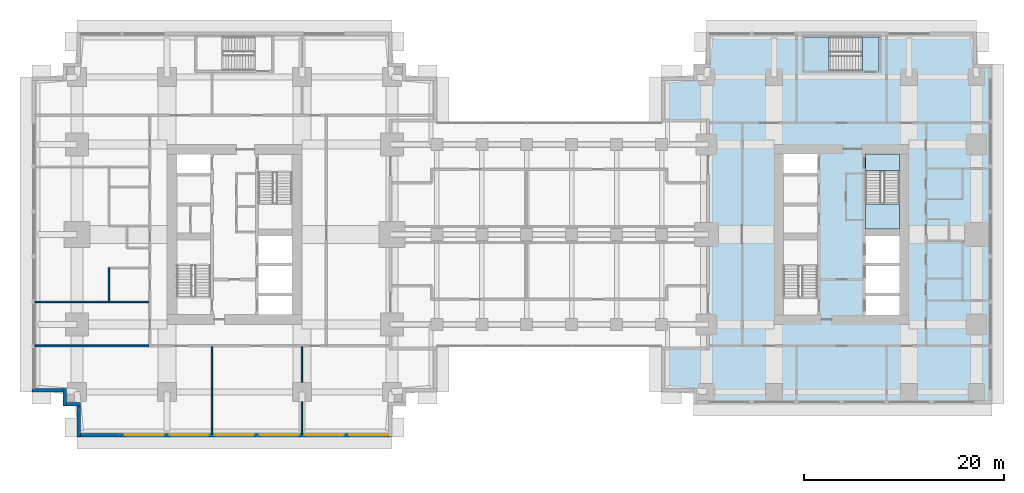
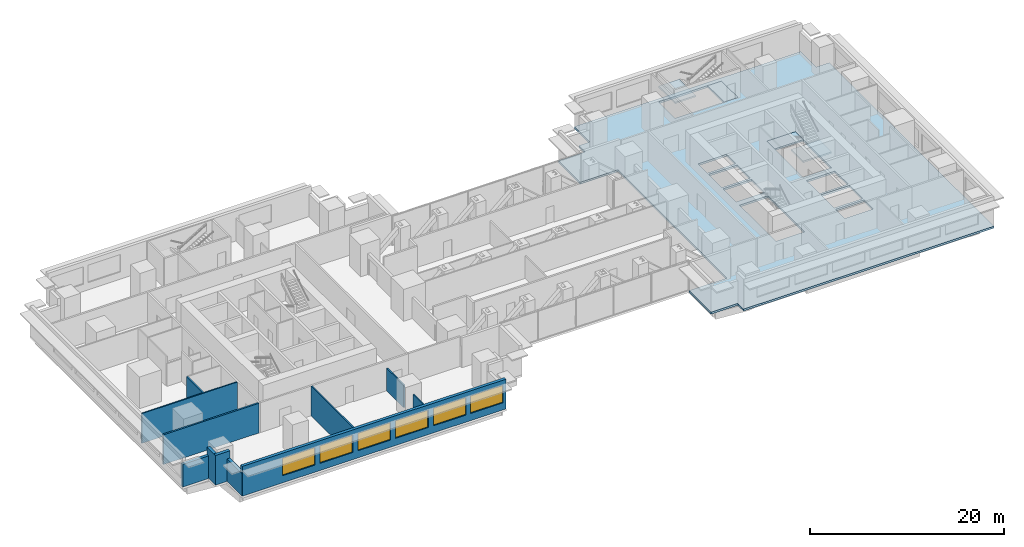
# One storey, part 6 of 16: 11 walls, 6 windows, 5 slabs, 6 openings, 2 elements without a shape of their own.
"""IFC4 building model written with IfcOpenShell, lengths in metres."""

from ifc_helpers import new_model, si_unit, direction, frame, frame_2d, origin, place, context, subcontext, project, spatial, polyline, rectangle, outline, extrude, material, layer, layer_set, type_object, element, fill, aggregate, save


model = new_model("IFC4")

# Units and contexts
model_context = context("Model", 3, precision=1e-05, world=origin(), true_north=direction((0.0, 1.0)))
body_context = subcontext(model_context, "Body", "Model", "MODEL_VIEW")
ifc_project = project(units=[si_unit("LENGTHUNIT", "METRE"), si_unit("AREAUNIT", "SQUARE_METRE"), si_unit("VOLUMEUNIT", "CUBIC_METRE"), si_unit("PLANEANGLEUNIT", "RADIAN"), si_unit("MASSUNIT", "GRAM", prefix="KILO")], contexts=[model_context])

# Site, building, storey
site_placement = place(None, origin())
site = spatial("IfcSite", under=ifc_project, at=site_placement, CompositionType="ELEMENT")
building_placement = place(site_placement, origin())
building = spatial("IfcBuilding", under=site, at=building_placement, Name="Namib Vertical Campus", CompositionType="ELEMENT")
storey_placement = place(building_placement, frame((0.0, 0.0, 117.0)))
storey = spatial("IfcBuildingStorey", under=building, at=storey_placement, Name="L27", CompositionType="ELEMENT", Elevation=117.0)

# Slab
ifc_material_1 = material(Name="Concrete C40/50", Category="concrete")
ifc_layer_1 = layer(ifc_material_1, 0.25)
ifc_layer_set_1 = layer_set([ifc_layer_1], Name="Concrete C40/50")
slab_type_1 = type_object("IfcSlabType", Name="Floor slab 250", PredefinedType="FLOOR", material=ifc_layer_set_1)
slab_1_placement = place(storey_placement, frame((0.0, 0.0, -0.25)))
element("IfcSlab", 1, at=slab_1_placement, inside=storey, type_object=slab_type_1, Name="Floor slab B L27", PredefinedType="FLOOR", context=body_context, shape_type="SweptSolid", body=[
    extrude(outline(polyline([(63.0, 9.0), (63.0, 4.5), (66.199951171875, 4.5), (66.199951171875, 3.300048828125), (96.050048828125, 3.300048828125), (96.050048828125, 37.300048828125), (94.5, 37.300048828125), (94.5, 40.5), (67.5, 40.5), (67.5, 37.300048828125), (66.199951171875, 37.300048828125), (66.199951171875, 36.0), (63.0, 36.0), (63.0, 31.5), (67.5, 31.5), (67.5, 9.0), (63.0, 9.0)]), holes=[polyline([(75.199951171875, 12.199951171875), (78.60009765625, 12.199951171875), (78.60009765625, 19.699951171875), (75.199951171875, 19.699951171875), (75.199951171875, 12.199951171875)]), polyline([(83.39990234375, 20.800048828125), (86.800048828125, 20.800048828125), (86.800048828125, 28.300048828125), (83.39990234375, 28.300048828125), (83.39990234375, 20.800048828125)]), polyline([(83.39990234375, 12.199951171875), (86.800048828125, 12.199951171875), (86.800048828125, 14.10009765625), (83.39990234375, 14.10009765625), (83.39990234375, 12.199951171875)]), polyline([(75.199951171875, 20.39990234375), (78.60009765625, 20.39990234375), (78.60009765625, 23.10009765625), (75.199951171875, 23.10009765625), (75.199951171875, 20.39990234375)]), polyline([(75.199951171875, 23.39990234375), (78.60009765625, 23.39990234375), (78.60009765625, 26.10009765625), (75.199951171875, 26.10009765625), (75.199951171875, 23.39990234375)]), polyline([(75.199951171875, 26.39990234375), (78.60009765625, 26.39990234375), (78.60009765625, 28.300048828125), (75.199951171875, 28.300048828125), (75.199951171875, 26.39990234375)]), polyline([(83.39990234375, 14.39990234375), (86.800048828125, 14.39990234375), (86.800048828125, 17.10009765625), (83.39990234375, 17.10009765625), (83.39990234375, 14.39990234375)]), polyline([(83.39990234375, 17.39990234375), (86.800048828125, 17.39990234375), (86.800048828125, 20.10009765625), (83.39990234375, 20.10009765625), (83.39990234375, 17.39990234375)]), polyline([(77.25, 36.60009765625), (84.75, 36.60009765625), (84.75, 40.0), (77.25, 40.0), (77.25, 36.60009765625)])]), origin(), (0.0, 0.0, 1.0), 0.25),
])

# Stair, slabs
ifc_material_2 = material(Name="Concrete C40/50 precast", Category="concrete")
stair_type = type_object("IfcStairType", Name="Exit stair 4000 rise 24 risers 3400 wide", PredefinedType="HALF_TURN_STAIR", material=ifc_material_2)
stair_1_placement = place(storey_placement, origin())
stair_1 = element("IfcStair", 2, at=stair_1_placement, inside=storey, type_object=stair_type, Name="Exit stair B-S2 L27", PredefinedType="HALF_TURN_STAIR")
ifc_material_3 = material(Name="Concrete C40/50", Category="concrete")
ifc_layer_2 = layer(ifc_material_3, 0.199951171875)
ifc_layer_set_2 = layer_set([ifc_layer_2], Name="Concrete C40/50")
slab_type_2 = type_object("IfcSlabType", Name="Stair landing 200", PredefinedType="LANDING", material=ifc_layer_set_2)
slab_2_placement = place(storey_placement, frame((0.0, 0.0, -0.199951171875)))
slab_2 = element("IfcSlab", 3, at=slab_2_placement, type_object=slab_type_2, Name="B-S2 landing 1", PredefinedType="LANDING", context=body_context, shape_type="SweptSolid", body=[
    extrude(outline(polyline([(83.39990234375, 26.64599609375), (86.800048828125, 26.64599609375), (86.800048828125, 28.300048828125), (83.39990234375, 28.300048828125), (83.39990234375, 26.64599609375)])), origin(), (0.0, 0.0, 1.0), 0.199951171875),
])
slab_3_placement = place(storey_placement, frame((0.0, 0.0, 1.800048828125)))
slab_3 = element("IfcSlab", 4, at=slab_3_placement, type_object=slab_type_2, Name="B-S2 landing 2", PredefinedType="LANDING", context=body_context, shape_type="SweptSolid", body=[
    extrude(outline(polyline([(83.39990234375, 20.800048828125), (86.800048828125, 20.800048828125), (86.800048828125, 23.27392578125), (83.39990234375, 23.27392578125), (83.39990234375, 20.800048828125)])), origin(), (0.0, 0.0, 1.0), 0.199951171875),
])
aggregate(stair_1, [slab_2, slab_3])

stair_2_placement = place(storey_placement, origin())
stair_2 = element("IfcStair", 5, at=stair_2_placement, inside=storey, type_object=stair_type, Name="Exit stair B-S3 L27", PredefinedType="HALF_TURN_STAIR")
slab_4_placement = place(storey_placement, frame((0.0, 0.0, -0.199951171875)))
slab_4 = element("IfcSlab", 6, at=slab_4_placement, type_object=slab_type_2, Name="B-S3 landing 1", PredefinedType="LANDING", context=body_context, shape_type="SweptSolid", body=[
    extrude(outline(polyline([(83.09619140625, 36.60009765625), (83.09619140625, 40.0), (84.75, 40.0), (84.75, 36.60009765625), (83.09619140625, 36.60009765625)])), origin(), (0.0, 0.0, 1.0), 0.199951171875),
])
slab_5_placement = place(storey_placement, frame((0.0, 0.0, 1.800048828125)))
slab_5 = element("IfcSlab", 7, at=slab_5_placement, type_object=slab_type_2, Name="B-S3 landing 2", PredefinedType="LANDING", context=body_context, shape_type="SweptSolid", body=[
    extrude(outline(polyline([(77.25, 36.60009765625), (77.25, 40.0), (79.723876953125, 40.0), (79.723876953125, 36.60009765625), (77.25, 36.60009765625)])), origin(), (0.0, 0.0, 1.0), 0.199951171875),
])
aggregate(stair_2, [slab_4, slab_5])

# Walls
ifc_material_4 = material(Name="Concrete masonry", Category="masonry")
ifc_layer_3 = layer(ifc_material_4, 0.199951171875)
ifc_layer_set_3 = layer_set([ifc_layer_3], Name="Corridor wall 200")
wall_type_1 = type_object("IfcWallType", Name="Corridor wall 200", PredefinedType="SOLIDWALL", material=ifc_layer_set_3)
wall_1_placement = place(storey_placement, frame((0.300048828125, 9.10009765625, 0.0), z_axis=(0.0, 0.0, 1.0), x_axis=(1.0, 0.0, 0.0)))
element("IfcWall", 8, at=wall_1_placement, inside=storey, type_object=wall_type_1, Name="Partition A L27 BSW", PredefinedType="SOLIDWALL", context=body_context, shape_type="SweptSolid", body=[
    extrude(rectangle(XDim=11.39990234375, YDim=0.199951171875, at=frame_2d((5.699951171875, 0.0))), origin(), (0.0, 0.0, 1.0), 3.75),
])
ifc_material_5 = material(Name="Concrete C40/50", Category="concrete")
ifc_layer_4 = layer(ifc_material_5, 0.35009765625)
ifc_layer_set_4 = layer_set([ifc_layer_4], Name="Concrete C40/50")
wall_type_2 = type_object("IfcWallType", Name="External wall 350 bush-hammered concrete", PredefinedType="STANDARD", material=ifc_layer_set_4)
wall_2_placement = place(storey_placement, frame((4.675048828125, 3.429931640625, 0.0), z_axis=(0.0, 0.0, 1.0), x_axis=(0.0, -1.0, 0.0)))
element("IfcWall", 9, at=wall_2_placement, inside=storey, type_object=wall_type_2, Name="External wall L27 F01", PredefinedType="STANDARD", context=body_context, shape_type="SweptSolid", body=[
    extrude(rectangle(XDim=3.409912109375, YDim=0.35009765625, at=frame_2d((1.705078125, 0.0))), origin(), (0.0, 0.0, 1.0), 2.85009765625),
])

# Wall, openings, windows
wall_3_placement = place(storey_placement, frame((4.52001953125, 0.175048828125, 0.0), z_axis=(0.0, 0.0, 1.0), x_axis=(1.0, 0.0, 0.0)))
wall_3 = element("IfcWall", 10, at=wall_3_placement, inside=storey, type_object=wall_type_2, Name="External wall L27 F02", PredefinedType="STANDARD", context=body_context, shape_type="SweptSolid", body=[
    extrude(rectangle(XDim=31.4599609375, YDim=0.35009765625, at=frame_2d((15.72998046875, 0.0))), origin(), (0.0, 0.0, 1.0), 3.75),
])
opening_1_placement = place(wall_3_placement, frame((4.780029296875, 0.0, 0.89990234375)))
opening_1 = element("IfcOpeningElement", 11, at=opening_1_placement, cuts=wall_3, Name="Opening W1", PredefinedType="OPENING", context=body_context, shape_type="SweptSolid", body=[
    extrude(rectangle(XDim=3.89990234375, YDim=2.199951171875, at=frame_2d((1.949951171875, 1.10009765625))), frame((0.0, 0.18505859375, 0.0), z_axis=(0.0, -1.0, 0.0), x_axis=(1.0, 0.0, 0.0)), (0.0, 0.0, 1.0), 0.3701171875),
])
opening_2_placement = place(wall_3_placement, frame((9.280029296875, 0.0, 0.89990234375)))
opening_2 = element("IfcOpeningElement", 12, at=opening_2_placement, cuts=wall_3, Name="Opening W1", PredefinedType="OPENING", context=body_context, shape_type="SweptSolid", body=[
    extrude(rectangle(XDim=3.89990234375, YDim=2.199951171875, at=frame_2d((1.949951171875, 1.10009765625))), frame((0.0, 0.18505859375, 0.0), z_axis=(0.0, -1.0, 0.0), x_axis=(1.0, 0.0, 0.0)), (0.0, 0.0, 1.0), 0.3701171875),
])
opening_3_placement = place(wall_3_placement, frame((13.780029296875, 0.0, 0.89990234375)))
opening_3 = element("IfcOpeningElement", 13, at=opening_3_placement, cuts=wall_3, Name="Opening W1", PredefinedType="OPENING", context=body_context, shape_type="SweptSolid", body=[
    extrude(rectangle(XDim=3.89990234375, YDim=2.199951171875, at=frame_2d((1.949951171875, 1.10009765625))), frame((0.0, 0.18505859375, 0.0), z_axis=(0.0, -1.0, 0.0), x_axis=(1.0, 0.0, 0.0)), (0.0, 0.0, 1.0), 0.3701171875),
])
opening_4_placement = place(wall_3_placement, frame((18.280029296875, 0.0, 0.89990234375)))
opening_4 = element("IfcOpeningElement", 14, at=opening_4_placement, cuts=wall_3, Name="Opening W1", PredefinedType="OPENING", context=body_context, shape_type="SweptSolid", body=[
    extrude(rectangle(XDim=3.89990234375, YDim=2.199951171875, at=frame_2d((1.949951171875, 1.10009765625))), frame((0.0, 0.18505859375, 0.0), z_axis=(0.0, -1.0, 0.0), x_axis=(1.0, 0.0, 0.0)), (0.0, 0.0, 1.0), 0.3701171875),
])
opening_5_placement = place(wall_3_placement, frame((22.780029296875, 0.0, 0.89990234375)))
opening_5 = element("IfcOpeningElement", 15, at=opening_5_placement, cuts=wall_3, Name="Opening W1", PredefinedType="OPENING", context=body_context, shape_type="SweptSolid", body=[
    extrude(rectangle(XDim=3.89990234375, YDim=2.199951171875, at=frame_2d((1.949951171875, 1.10009765625))), frame((0.0, 0.18505859375, 0.0), z_axis=(0.0, -1.0, 0.0), x_axis=(1.0, 0.0, 0.0)), (0.0, 0.0, 1.0), 0.3701171875),
])
opening_6_placement = place(wall_3_placement, frame((27.2099609375, 0.0, 0.89990234375)))
opening_6 = element("IfcOpeningElement", 16, at=opening_6_placement, cuts=wall_3, Name="Opening W1", PredefinedType="OPENING", context=body_context, shape_type="SweptSolid", body=[
    extrude(rectangle(XDim=3.89990234375, YDim=2.199951171875, at=frame_2d((1.949951171875, 1.10009765625))), frame((0.0, 0.18505859375, 0.0), z_axis=(0.0, -1.0, 0.0), x_axis=(1.0, 0.0, 0.0)), (0.0, 0.0, 1.0), 0.3701171875),
])
ifc_material_6 = material(Name="Dark tinted glass in black aluminium frame", Category="aluminium")
window_type = type_object("IfcWindowType", Name="Ribbon window 3900x2200", PartitioningType="SINGLE_PANEL", PredefinedType="WINDOW", material=ifc_material_6)
window_1_placement = place(opening_1_placement, origin())
window_1 = element("IfcWindow", 17, at=window_1_placement, inside=storey, type_object=window_type, Name="Window W1 L27 F02-2", OverallHeight=2.199951171875, OverallWidth=3.89990234375, PartitioningType="SINGLE_PANEL", PredefinedType="WINDOW", context=body_context, shape_type="SweptSolid", body=[
    extrude(rectangle(XDim=3.89990234375, YDim=2.199951171875, at=frame_2d((1.949951171875, 1.10009765625))), frame((0.0, 0.030029296875, 0.0), z_axis=(0.0, -1.0, 0.0), x_axis=(1.0, 0.0, 0.0)), (0.0, 0.0, 1.0), 0.06005859375),
])
fill(opening_1, window_1)
window_2_placement = place(opening_2_placement, origin())
window_2 = element("IfcWindow", 18, at=window_2_placement, inside=storey, type_object=window_type, Name="Window W1 L27 F02-3", OverallHeight=2.199951171875, OverallWidth=3.89990234375, PartitioningType="SINGLE_PANEL", PredefinedType="WINDOW", context=body_context, shape_type="SweptSolid", body=[
    extrude(rectangle(XDim=3.89990234375, YDim=2.199951171875, at=frame_2d((1.949951171875, 1.10009765625))), frame((0.0, 0.030029296875, 0.0), z_axis=(0.0, -1.0, 0.0), x_axis=(1.0, 0.0, 0.0)), (0.0, 0.0, 1.0), 0.06005859375),
])
fill(opening_2, window_2)
window_3_placement = place(opening_3_placement, origin())
window_3 = element("IfcWindow", 19, at=window_3_placement, inside=storey, type_object=window_type, Name="Window W1 L27 F02-4", OverallHeight=2.199951171875, OverallWidth=3.89990234375, PartitioningType="SINGLE_PANEL", PredefinedType="WINDOW", context=body_context, shape_type="SweptSolid", body=[
    extrude(rectangle(XDim=3.89990234375, YDim=2.199951171875, at=frame_2d((1.949951171875, 1.10009765625))), frame((0.0, 0.030029296875, 0.0), z_axis=(0.0, -1.0, 0.0), x_axis=(1.0, 0.0, 0.0)), (0.0, 0.0, 1.0), 0.06005859375),
])
fill(opening_3, window_3)
window_4_placement = place(opening_4_placement, origin())
window_4 = element("IfcWindow", 20, at=window_4_placement, inside=storey, type_object=window_type, Name="Window W1 L27 F02-5", OverallHeight=2.199951171875, OverallWidth=3.89990234375, PartitioningType="SINGLE_PANEL", PredefinedType="WINDOW", context=body_context, shape_type="SweptSolid", body=[
    extrude(rectangle(XDim=3.89990234375, YDim=2.199951171875, at=frame_2d((1.949951171875, 1.10009765625))), frame((0.0, 0.030029296875, 0.0), z_axis=(0.0, -1.0, 0.0), x_axis=(1.0, 0.0, 0.0)), (0.0, 0.0, 1.0), 0.06005859375),
])
fill(opening_4, window_4)
window_5_placement = place(opening_5_placement, origin())
window_5 = element("IfcWindow", 21, at=window_5_placement, inside=storey, type_object=window_type, Name="Window W1 L27 F02-6", OverallHeight=2.199951171875, OverallWidth=3.89990234375, PartitioningType="SINGLE_PANEL", PredefinedType="WINDOW", context=body_context, shape_type="SweptSolid", body=[
    extrude(rectangle(XDim=3.89990234375, YDim=2.199951171875, at=frame_2d((1.949951171875, 1.10009765625))), frame((0.0, 0.030029296875, 0.0), z_axis=(0.0, -1.0, 0.0), x_axis=(1.0, 0.0, 0.0)), (0.0, 0.0, 1.0), 0.06005859375),
])
fill(opening_5, window_5)
window_6_placement = place(opening_6_placement, origin())
window_6 = element("IfcWindow", 22, at=window_6_placement, inside=storey, type_object=window_type, Name="Window W1 L27 F02-7", OverallHeight=2.199951171875, OverallWidth=3.89990234375, PartitioningType="SINGLE_PANEL", PredefinedType="WINDOW", context=body_context, shape_type="SweptSolid", body=[
    extrude(rectangle(XDim=3.89990234375, YDim=2.199951171875, at=frame_2d((1.949951171875, 1.10009765625))), frame((0.0, 0.030029296875, 0.0), z_axis=(0.0, -1.0, 0.0), x_axis=(1.0, 0.0, 0.0)), (0.0, 0.0, 1.0), 0.06005859375),
])
fill(opening_6, window_6)

# Walls
wall_4_placement = place(storey_placement, frame((0.02001953125, 4.675048828125, 0.0), z_axis=(0.0, 0.0, 1.0), x_axis=(1.0, 0.0, 0.0)))
element("IfcWall", 23, at=wall_4_placement, inside=storey, type_object=wall_type_2, Name="External wall L27 F22", PredefinedType="STANDARD", context=body_context, shape_type="SweptSolid", body=[
    extrude(rectangle(XDim=3.409912109375, YDim=0.35009765625, at=frame_2d((1.705078125, 0.0))), origin(), (0.0, 0.0, 1.0), 2.85009765625),
])
for number, where, z_axis, x_axis, name in (
    (24, (3.27490234375, 4.830078125, 0.0), (0.0, 0.0, 1.0), (0.0, -1.0, 0.0), "External wall L27 F23"),
    (25, (3.1201171875, 3.27490234375, 0.0), (0.0, 0.0, 1.0), (1.0, 0.0, 0.0), "External wall L27 F24"),
):
    element("IfcWall", number, at=place(storey_placement, frame(where, z_axis=z_axis, x_axis=x_axis)), inside=storey, type_object=wall_type_2, Name=name, PredefinedType="STANDARD", context=body_context, shape_type="SweptSolid", body=[
        extrude(rectangle(XDim=1.7099609375, YDim=0.35009765625, at=frame_2d((0.85498046875, 0.0))), origin(), (0.0, 0.0, 1.0), 3.75),
    ])
ifc_material_7 = material(Name="Gypsum board on steel studs", Category="steel")
ifc_layer_5 = layer(ifc_material_7, 0.14990234375)
ifc_layer_set_5 = layer_set([ifc_layer_5], Name="Gypsum board on steel studs")
wall_type_3 = type_object("IfcWallType", Name="Partition 150", PredefinedType="PARTITIONING", material=ifc_layer_set_5)
wall_5_placement = place(storey_placement, frame((18.0, 0.300048828125, 0.0), z_axis=(0.0, 0.0, 1.0), x_axis=(0.0, 1.0, 0.0)))
element("IfcWall", 26, at=wall_5_placement, inside=storey, type_object=wall_type_3, Name="Partition A L27 PS1", PredefinedType="PARTITIONING", context=body_context, shape_type="SweptSolid", body=[
    extrude(rectangle(XDim=8.699951171875, YDim=0.14990234375, at=frame_2d((4.35009765625, 0.0))), origin(), (0.0, 0.0, 1.0), 3.75),
])
wall_6_placement = place(storey_placement, frame((27.0, 0.300048828125, 0.0), z_axis=(0.0, 0.0, 1.0), x_axis=(0.0, 1.0, 0.0)))
element("IfcWall", 27, at=wall_6_placement, inside=storey, type_object=wall_type_3, Name="Partition A L27 PS2", PredefinedType="PARTITIONING", context=body_context, shape_type="SweptSolid", body=[
    extrude(rectangle(XDim=3.22998046875, YDim=0.14990234375, at=frame_2d((1.614990234375, 0.0))), origin(), (0.0, 0.0, 1.0), 2.85009765625),
])
wall_7_placement = place(storey_placement, frame((27.0, 5.469970703125, 0.0), z_axis=(0.0, 0.0, 1.0), x_axis=(0.0, 1.0, 0.0)))
element("IfcWall", 28, at=wall_7_placement, inside=storey, type_object=wall_type_3, Name="Partition A L27 PS2", PredefinedType="PARTITIONING", context=body_context, shape_type="SweptSolid", body=[
    extrude(rectangle(XDim=3.530029296875, YDim=0.14990234375, at=frame_2d((1.76513671875, 0.0))), origin(), (0.0, 0.0, 1.0), 2.85009765625),
])
wall_8_placement = place(storey_placement, frame((0.300048828125, 13.5, 0.0), z_axis=(0.0, 0.0, 1.0), x_axis=(1.0, 0.0, 0.0)))
element("IfcWall", 29, at=wall_8_placement, inside=storey, type_object=wall_type_3, Name="Partition A L27 PW1", PredefinedType="PARTITIONING", context=body_context, shape_type="SweptSolid", body=[
    extrude(rectangle(XDim=11.39990234375, YDim=0.14990234375, at=frame_2d((5.699951171875, 0.0))), origin(), (0.0, 0.0, 1.0), 3.75),
])
wall_9_placement = place(storey_placement, frame((7.699951171875, 13.5, 0.0), z_axis=(0.0, 0.0, 1.0), x_axis=(0.0, 1.0, 0.0)))
element("IfcWall", 30, at=wall_9_placement, inside=storey, type_object=wall_type_3, Name="Partition A L27 WB1", PredefinedType="PARTITIONING", context=body_context, shape_type="SweptSolid", body=[
    extrude(rectangle(XDim=3.39990234375, YDim=0.14990234375, at=frame_2d((1.699951171875, 0.0))), origin(), (0.0, 0.0, 1.0), 3.75),
])

save(model, "model.ifc")
